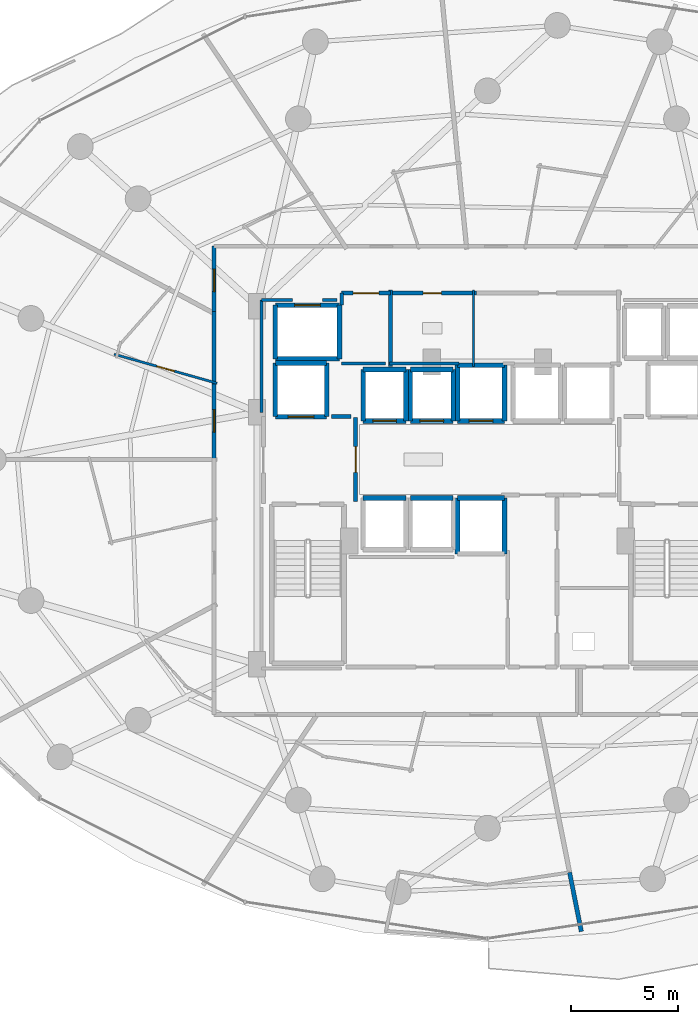
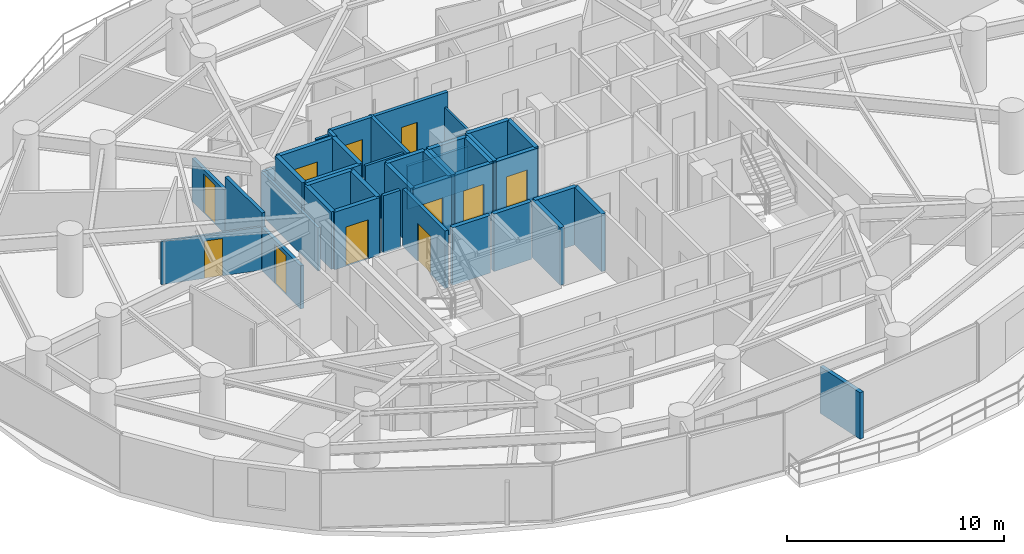
# One storey, part 27 of 34: 42 walls, 11 doors, 11 openings.
"""IFC4 building model written with IfcOpenShell, lengths in metres."""

from ifc_helpers import new_model, si_unit, direction, frame, frame_2d, origin, place, context, subcontext, project, spatial, rectangle, extrude, material, layer, layer_set, type_object, element, fill, save


model = new_model("IFC4")

# Units and contexts
model_context = context("Model", 3, precision=1e-05, world=origin(), true_north=direction((0.0, 1.0)))
body_context = subcontext(model_context, "Body", "Model", "MODEL_VIEW")
ifc_project = project(units=[si_unit("LENGTHUNIT", "METRE"), si_unit("AREAUNIT", "SQUARE_METRE"), si_unit("VOLUMEUNIT", "CUBIC_METRE"), si_unit("PLANEANGLEUNIT", "RADIAN"), si_unit("MASSUNIT", "GRAM", prefix="KILO")], contexts=[model_context])

# Site, building, storey
site_placement = place(None, origin())
site = spatial("IfcSite", under=ifc_project, at=site_placement, CompositionType="ELEMENT")
building_placement = place(site_placement, origin())
building = spatial("IfcBuilding", under=site, at=building_placement, Name="Vorneva Point Tower", CompositionType="ELEMENT")
storey_placement = place(building_placement, frame((0.0, 0.0, 62.5)))
storey = spatial("IfcBuildingStorey", under=building, at=storey_placement, Name="L16", CompositionType="ELEMENT", Elevation=62.5)

# Wall, opening, door
ifc_material_1 = material(Name="Concrete B60 (C50/60)", Category="concrete")
ifc_layer_1 = layer(ifc_material_1, 0.5)
ifc_layer_set_1 = layer_set([ifc_layer_1], Name="Concrete B60 (C50/60)")
wall_type_1 = type_object("IfcWallType", Name="WL-CORE-500", PredefinedType="SHEAR", material=ifc_layer_set_1)
wall_1_placement = place(storey_placement, frame((28.10009765625, 28.0, 0.0), z_axis=(0.0, 0.0, 1.0), x_axis=(1.0, 0.0, 0.0)))
wall_1 = element("IfcWall", 1, at=wall_1_placement, inside=storey, type_object=wall_type_1, Name="L16 Lift FFL1 Shaft Wall -Y", PredefinedType="SHEAR", context=body_context, shape_type="SweptSolid", body=[
    extrude(rectangle(XDim=2.39990234375, YDim=0.219970703125, at=frame_2d((1.199951171875, 0.0))), origin(), (0.0, 0.0, 1.0), 3.239990234375),
])
opening_1_placement = place(wall_1_placement, frame((0.60009765625, 0.0, 0.0)))
opening_1 = element("IfcOpeningElement", 2, at=opening_1_placement, cuts=wall_1, Name="Opening LD-02", PredefinedType="OPENING", context=body_context, shape_type="SweptSolid", body=[
    extrude(rectangle(XDim=1.199951171875, YDim=2.199951171875, at=frame_2d((0.60009765625, 1.10009765625))), frame((0.0, 0.125, 0.0), z_axis=(0.0, -1.0, 0.0), x_axis=(1.0, 0.0, 0.0)), (0.0, 0.0, 1.0), 0.249755859375),
])
ifc_material_2 = material(Name="Brushed stainless steel S304", Category="steel")
door_type_1 = type_object("IfcDoorType", Name="LD-FIRE-1200", OperationType="SLIDING_TO_LEFT", PredefinedType="DOOR", material=ifc_material_2)
door_1_placement = place(opening_1_placement, origin())
door_1 = element("IfcDoor", 3, at=door_1_placement, inside=storey, type_object=door_type_1, Name="L16 Lift FFL1 Sliding Landing Door", OperationType="SLIDING_TO_LEFT", OverallHeight=2.199951171875, OverallWidth=1.199951171875, PredefinedType="DOOR", context=body_context, shape_type="SweptSolid", body=[
    extrude(rectangle(XDim=1.199951171875, YDim=2.199951171875, at=frame_2d((0.60009765625, 1.10009765625))), frame((0.0, 0.02490234375, 0.0), z_axis=(0.0, -1.0, 0.0), x_axis=(1.0, 0.0, 0.0)), (0.0, 0.0, 1.0), 0.050048828125),
])
fill(opening_1, door_1)

# Walls
wall_2_placement = place(storey_placement, frame((30.5, 28.0, 0.0), z_axis=(0.0, 0.0, 1.0), x_axis=(0.0, 1.0, 0.0)))
element("IfcWall", 4, at=wall_2_placement, inside=storey, type_object=wall_type_1, Name="L16 Lift FFL1 Shaft Wall +X", PredefinedType="SHEAR", context=body_context, shape_type="SweptSolid", body=[
    extrude(rectangle(XDim=2.5, YDim=0.219970703125, at=frame_2d((1.25, 0.0))), origin(), (0.0, 0.0, 1.0), 3.239990234375),
])
wall_3_placement = place(storey_placement, frame((30.5, 30.5, 0.0), z_axis=(0.0, 0.0, 1.0), x_axis=(-1.0, 0.0, 0.0)))
element("IfcWall", 5, at=wall_3_placement, inside=storey, type_object=wall_type_1, Name="L16 Lift FFL1 Shaft Wall +Y", PredefinedType="SHEAR", context=body_context, shape_type="SweptSolid", body=[
    extrude(rectangle(XDim=2.39990234375, YDim=0.219970703125, at=frame_2d((1.199951171875, 0.0))), origin(), (0.0, 0.0, 1.0), 3.239990234375),
])
wall_4_placement = place(storey_placement, frame((28.10009765625, 30.5, 0.0), z_axis=(0.0, 0.0, 1.0), x_axis=(0.0, -1.0, 0.0)))
element("IfcWall", 6, at=wall_4_placement, inside=storey, type_object=wall_type_1, Name="L16 Lift FFL1 Shaft Wall -X", PredefinedType="SHEAR", context=body_context, shape_type="SweptSolid", body=[
    extrude(rectangle(XDim=2.5, YDim=0.219970703125, at=frame_2d((1.25, 0.0))), origin(), (0.0, 0.0, 1.0), 3.239990234375),
])
ifc_material_3 = material(Name="Fire-rated acoustic gypsum stud partition", Category="gypsum")
ifc_layer_2 = layer(ifc_material_3, 0.110107421875)
ifc_layer_set_2 = layer_set([ifc_layer_2], Name="Fire-rated acoustic gypsum stud partition")
wall_type_2 = type_object("IfcWallType", Name="WL-PART-110", PredefinedType="PARTITIONING", material=ifc_layer_set_2)
wall_5_placement = place(storey_placement, frame((37.35009765625, 30.340087890625, 0.0), z_axis=(0.0, 0.0, 1.0), x_axis=(0.0, 1.0, 0.0)))
element("IfcWall", 7, at=wall_5_placement, inside=storey, type_object=wall_type_2, Name="L16 Interior Partition 017", PredefinedType="PARTITIONING", context=body_context, shape_type="SweptSolid", body=[
    extrude(rectangle(XDim=3.559814453125, YDim=0.110107421875, at=frame_2d((1.77978515625, 0.0))), origin(), (0.0, 0.0, 1.0), 2.431884765625),
])

# Wall, opening, door
wall_6_placement = place(storey_placement, frame((25.384765625, 29.55810546875, 0.0), z_axis=(0.0, 0.0, 1.0), x_axis=(-0.962466408657, 0.271400833098, 0.0)))
wall_6 = element("IfcWall", 8, at=wall_6_placement, inside=storey, type_object=wall_type_2, Name="L16 Interior Partition 072", PredefinedType="PARTITIONING", context=body_context, shape_type="SweptSolid", body=[
    extrude(rectangle(XDim=4.984375, YDim=0.110107421875, at=frame_2d((2.4921875, 0.0))), origin(), (0.0, 0.0, 1.0), 2.431884765625),
])
opening_2_placement = place(wall_6_placement, frame((2.0673828125, 0.0, 0.0)))
opening_2 = element("IfcOpeningElement", 9, at=opening_2_placement, cuts=wall_6, Name="Opening ID-02", PredefinedType="OPENING", context=body_context, shape_type="SweptSolid", body=[
    extrude(rectangle(XDim=0.85009765625, YDim=2.10009765625, at=frame_2d((0.425048828125, 1.050048828125))), frame((0.0, 0.06982421875, 0.0), z_axis=(0.0, -1.0, 0.0), x_axis=(1.0, 0.0, 0.0)), (0.0, 0.0, 1.0), 0.139892578125),
])
ifc_material_4 = material(Name="Engineered oak fire-rated door leaf", Category="wood")
door_type_2 = type_object("IfcDoorType", Name="DR-BATH-850", OperationType="NOTDEFINED", PredefinedType="DOOR", material=ifc_material_4)
door_2_placement = place(opening_2_placement, origin())
door_2 = element("IfcDoor", 10, at=door_2_placement, inside=storey, type_object=door_type_2, Name="L16 Door Junior Suite L16-06 / En-Suite Bathroom L16-06", OperationType="SINGLE_SWING_LEFT", OverallHeight=2.10009765625, OverallWidth=0.85009765625, PredefinedType="DOOR", context=body_context, shape_type="SweptSolid", body=[
    extrude(rectangle(XDim=0.85009765625, YDim=2.10009765625, at=frame_2d((0.425048828125, 1.050048828125))), frame((0.0, 0.02490234375, 0.0), z_axis=(0.0, -1.0, 0.0), x_axis=(1.0, 0.0, 0.0)), (0.0, 0.0, 1.0), 0.050048828125),
])
fill(opening_2, door_2)

# Walls
ifc_layer_3 = layer(ifc_material_3, 0.139892578125)
ifc_layer_set_3 = layer_set([ifc_layer_3], Name="Fire-rated acoustic gypsum stud partition")
wall_type_3 = type_object("IfcWallType", Name="WL-PART-140", PredefinedType="PARTITIONING", material=ifc_layer_set_3)
wall_7_placement = place(storey_placement, frame((31.199951171875, 30.47998046875, 0.0), z_axis=(0.0, 0.0, 1.0), x_axis=(1.0, 0.0, 0.0)))
element("IfcWall", 11, at=wall_7_placement, inside=storey, type_object=wall_type_3, Name="L16 Interior Closure Partition 094", PredefinedType="PARTITIONING", context=body_context, shape_type="SweptSolid", body=[
    extrude(rectangle(XDim=2.050048828125, YDim=0.139892578125, at=frame_2d((1.02490234375, 0.0))), origin(), (0.0, 0.0, 1.0), 3.239990234375),
])
wall_8_placement = place(storey_placement, frame((33.43994140625, 30.47998046875, 0.0), z_axis=(0.0, 0.0, 1.0), x_axis=(1.0, 0.0, 0.0)))
element("IfcWall", 12, at=wall_8_placement, inside=storey, type_object=wall_type_3, Name="L16 Interior Closure Partition 095", PredefinedType="PARTITIONING", context=body_context, shape_type="SweptSolid", body=[
    extrude(rectangle(XDim=3.22509765625, YDim=0.139892578125, at=frame_2d((1.612548828125, 0.0))), origin(), (0.0, 0.0, 1.0), 2.431884765625),
])
wall_9_placement = place(storey_placement, frame((27.449951171875, 28.196044921875, 0.0), z_axis=(0.0, 0.0, 1.0), x_axis=(0.0, 1.0, 0.0)))
element("IfcWall", 13, at=wall_9_placement, inside=storey, type_object=wall_type_3, Name="L16 Interior Closure Partition 106", PredefinedType="PARTITIONING", context=body_context, shape_type="SweptSolid", body=[
    extrude(rectangle(XDim=5.25390625, YDim=0.139892578125, at=frame_2d((2.626953125, 0.0))), origin(), (0.0, 0.0, 1.0), 2.431884765625),
])
wall_10_placement = place(storey_placement, frame((27.449951171875, 33.449951171875, 0.0), z_axis=(0.0, 0.0, 1.0), x_axis=(1.0, 0.0, 0.0)))
element("IfcWall", 14, at=wall_10_placement, inside=storey, type_object=wall_type_3, Name="L16 Interior Closure Partition 107", PredefinedType="PARTITIONING", context=body_context, shape_type="SweptSolid", body=[
    extrude(rectangle(XDim=1.444091796875, YDim=0.139892578125, at=frame_2d((0.72216796875, 0.0))), origin(), (0.0, 0.0, 1.0), 2.431884765625),
])
wall_11_placement = place(storey_placement, frame((30.305908203125, 33.449951171875, 0.0), z_axis=(0.0, 0.0, 1.0), x_axis=(1.0, 0.0, 0.0)))
element("IfcWall", 15, at=wall_11_placement, inside=storey, type_object=wall_type_3, Name="L16 Interior Closure Partition 108", PredefinedType="PARTITIONING", context=body_context, shape_type="SweptSolid", body=[
    extrude(rectangle(XDim=0.674072265625, YDim=0.139892578125, at=frame_2d((0.3369140625, 0.0))), origin(), (0.0, 0.0, 1.0), 3.239990234375),
])

# Wall, opening, door
ifc_material_5 = material(Name="Autoclaved aerated concrete blockwork", Category="masonry")
ifc_layer_4 = layer(ifc_material_5, 0.179931640625)
ifc_layer_set_4 = layer_set([ifc_layer_4], Name="Autoclaved aerated concrete blockwork")
wall_type_4 = type_object("IfcWallType", Name="WL-PART-180", PredefinedType="PARTITIONING", material=ifc_layer_set_4)
wall_12_placement = place(storey_placement, frame((31.85009765625, 24.044921875, 0.0), z_axis=(0.0, 0.0, 1.0), x_axis=(0.0, 1.0, 0.0)))
wall_12 = element("IfcWall", 16, at=wall_12_placement, inside=storey, type_object=wall_type_4, Name="L16 Interior Partition 001", PredefinedType="PARTITIONING", context=body_context, shape_type="SweptSolid", body=[
    extrude(rectangle(XDim=3.91015625, YDim=0.179931640625, at=frame_2d((1.955078125, 0.0))), origin(), (0.0, 0.0, 1.0), 3.239990234375),
])
opening_3_placement = place(wall_12_placement, frame((1.35498046875, 0.0, 0.0)))
opening_3 = element("IfcOpeningElement", 17, at=opening_3_placement, cuts=wall_12, Name="Opening FD-02", PredefinedType="OPENING", context=body_context, shape_type="SweptSolid", body=[
    extrude(rectangle(XDim=1.199951171875, YDim=2.14990234375, at=frame_2d((0.60009765625, 1.074951171875))), frame((0.0, 0.10498046875, 0.0), z_axis=(0.0, -1.0, 0.0), x_axis=(1.0, 0.0, 0.0)), (0.0, 0.0, 1.0), 0.209716796875),
])
ifc_material_6 = material(Name="Fire-rated powder-coated steel", Category="steel")
door_type_3 = type_object("IfcDoorType", Name="DR-FFL-1200", OperationType="NOTDEFINED", PredefinedType="DOOR", material=ifc_material_6)
door_3_placement = place(opening_3_placement, origin())
door_3 = element("IfcDoor", 18, at=door_3_placement, inside=storey, type_object=door_type_3, Name="L16 Door West Firefighting Lobby / Central Lift Lobby", OperationType="SINGLE_SWING_RIGHT", OverallHeight=2.14990234375, OverallWidth=1.199951171875, PredefinedType="DOOR", context=body_context, shape_type="SweptSolid", body=[
    extrude(rectangle(XDim=1.199951171875, YDim=2.14990234375, at=frame_2d((0.60009765625, 1.074951171875))), frame((0.0, 0.02490234375, 0.0), z_axis=(0.0, -1.0, 0.0), x_axis=(1.0, 0.0, 0.0)), (0.0, 0.0, 1.0), 0.050048828125),
])
fill(opening_3, door_3)

# Wall
wall_13_placement = place(storey_placement, frame((33.469970703125, 30.340087890625, 0.0), z_axis=(0.0, 0.0, 1.0), x_axis=(0.0, 1.0, 0.0)))
element("IfcWall", 19, at=wall_13_placement, inside=storey, type_object=wall_type_4, Name="L16 Interior Partition 006", PredefinedType="PARTITIONING", context=body_context, shape_type="SweptSolid", body=[
    extrude(rectangle(XDim=3.559814453125, YDim=0.179931640625, at=frame_2d((1.77978515625, 0.0))), origin(), (0.0, 0.0, 1.0), 3.239990234375),
])

# Wall, opening, door
wall_14_placement = place(storey_placement, frame((33.469970703125, 33.760009765625, 0.0), z_axis=(0.0, 0.0, 1.0), x_axis=(-1.0, 0.0, 0.0)))
wall_14 = element("IfcWall", 20, at=wall_14_placement, inside=storey, type_object=wall_type_4, Name="L16 Interior Partition 007", PredefinedType="PARTITIONING", context=body_context, shape_type="SweptSolid", body=[
    extrude(rectangle(XDim=2.27001953125, YDim=0.179931640625, at=frame_2d((1.135009765625, 0.0))), origin(), (0.0, 0.0, 1.0), 3.239990234375),
])
opening_4_placement = place(wall_14_placement, frame((0.534912109375, 0.0, 0.0)))
opening_4 = element("IfcOpeningElement", 21, at=opening_4_placement, cuts=wall_14, Name="Opening FD-02", PredefinedType="OPENING", context=body_context, shape_type="SweptSolid", body=[
    extrude(rectangle(XDim=1.199951171875, YDim=2.14990234375, at=frame_2d((0.60009765625, 1.074951171875))), frame((0.0, 0.10498046875, 0.0), z_axis=(0.0, -1.0, 0.0), x_axis=(1.0, 0.0, 0.0)), (0.0, 0.0, 1.0), 0.209716796875),
])
door_4_placement = place(opening_4_placement, origin())
door_4 = element("IfcDoor", 22, at=door_4_placement, inside=storey, type_object=door_type_3, Name="L16 Door Service Lift Lobby / L16 Circulation Corridor", OperationType="SINGLE_SWING_RIGHT", OverallHeight=2.14990234375, OverallWidth=1.199951171875, PredefinedType="DOOR", context=body_context, shape_type="SweptSolid", body=[
    extrude(rectangle(XDim=1.199951171875, YDim=2.14990234375, at=frame_2d((0.60009765625, 1.074951171875))), frame((0.0, 0.02490234375, 0.0), z_axis=(0.0, -1.0, 0.0), x_axis=(1.0, 0.0, 0.0)), (0.0, 0.0, 1.0), 0.050048828125),
])
fill(opening_4, door_4)

# Wall
wall_15_placement = place(storey_placement, frame((31.199951171875, 33.760009765625, 0.0), z_axis=(0.0, 0.0, 1.0), x_axis=(0.0, -1.0, 0.0)))
element("IfcWall", 23, at=wall_15_placement, inside=storey, type_object=wall_type_4, Name="L16 Interior Partition 008", PredefinedType="PARTITIONING", context=body_context, shape_type="SweptSolid", body=[
    extrude(rectangle(XDim=0.56005859375, YDim=0.179931640625, at=frame_2d((0.280029296875, 0.0))), origin(), (0.0, 0.0, 1.0), 3.239990234375),
])

# Wall, opening, door
wall_16_placement = place(storey_placement, frame((37.489990234375, 33.760009765625, 0.0), z_axis=(0.0, 0.0, 1.0), x_axis=(-1.0, 0.0, 0.0)))
wall_16 = element("IfcWall", 24, at=wall_16_placement, inside=storey, type_object=wall_type_4, Name="L16 Interior Partition 018", PredefinedType="PARTITIONING", context=body_context, shape_type="SweptSolid", body=[
    extrude(rectangle(XDim=4.1298828125, YDim=0.179931640625, at=frame_2d((2.06494140625, 0.0))), origin(), (0.0, 0.0, 1.0), 3.239990234375),
])
opening_5_placement = place(wall_16_placement, frame((1.639892578125, 0.0, 0.0)))
opening_5 = element("IfcOpeningElement", 25, at=opening_5_placement, cuts=wall_16, Name="Opening ID-02", PredefinedType="OPENING", context=body_context, shape_type="SweptSolid", body=[
    extrude(rectangle(XDim=0.85009765625, YDim=2.10009765625, at=frame_2d((0.425048828125, 1.050048828125))), frame((0.0, 0.10498046875, 0.0), z_axis=(0.0, -1.0, 0.0), x_axis=(1.0, 0.0, 0.0)), (0.0, 0.0, 1.0), 0.209716796875),
])
door_5_placement = place(opening_5_placement, origin())
door_5 = element("IfcDoor", 26, at=door_5_placement, inside=storey, type_object=door_type_2, Name="L16 Door Accessible WC / L16 Circulation Corridor", OperationType="SINGLE_SWING_RIGHT", OverallHeight=2.10009765625, OverallWidth=0.85009765625, PredefinedType="DOOR", context=body_context, shape_type="SweptSolid", body=[
    extrude(rectangle(XDim=0.85009765625, YDim=2.10009765625, at=frame_2d((0.425048828125, 1.050048828125))), frame((0.0, 0.02490234375, 0.0), z_axis=(0.0, -1.0, 0.0), x_axis=(1.0, 0.0, 0.0)), (0.0, 0.0, 1.0), 0.050048828125),
])
fill(opening_5, door_5)

wall_17_placement = place(storey_placement, frame((25.25, 35.949951171875, 0.0), z_axis=(0.0, 0.0, 1.0), x_axis=(0.0, -1.0, 0.0)))
wall_17 = element("IfcWall", 27, at=wall_17_placement, inside=storey, type_object=wall_type_4, Name="L16 Interior Partition 032", PredefinedType="PARTITIONING", context=body_context, shape_type="SweptSolid", body=[
    extrude(rectangle(XDim=3.195068359375, YDim=0.179931640625, at=frame_2d((1.59765625, 0.0))), origin(), (0.0, 0.0, 1.0), 2.431884765625),
])
opening_6_placement = place(wall_17_placement, frame((1.072509765625, 0.0, 0.0)))
opening_6 = element("IfcOpeningElement", 28, at=opening_6_placement, cuts=wall_17, Name="Opening UD-02", PredefinedType="OPENING", context=body_context, shape_type="SweptSolid", body=[
    extrude(rectangle(XDim=1.050048828125, YDim=2.199951171875, at=frame_2d((0.52490234375, 1.10009765625))), frame((0.0, 0.10498046875, 0.0), z_axis=(0.0, -1.0, 0.0), x_axis=(1.0, 0.0, 0.0)), (0.0, 0.0, 1.0), 0.209716796875),
])
door_type_4 = type_object("IfcDoorType", Name="DR-SUITE-1050", OperationType="NOTDEFINED", PredefinedType="DOOR", material=ifc_material_4)
door_6_placement = place(opening_6_placement, origin())
door_6 = element("IfcDoor", 29, at=door_6_placement, inside=storey, type_object=door_type_4, Name="L16 Door L16 Circulation Corridor / Corner Suite L16-05", OperationType="SINGLE_SWING_LEFT", OverallHeight=2.199951171875, OverallWidth=1.050048828125, PredefinedType="DOOR", context=body_context, shape_type="SweptSolid", body=[
    extrude(rectangle(XDim=1.050048828125, YDim=2.199951171875, at=frame_2d((0.52490234375, 1.10009765625))), frame((0.0, 0.02490234375, 0.0), z_axis=(0.0, -1.0, 0.0), x_axis=(1.0, 0.0, 0.0)), (0.0, 0.0, 1.0), 0.050048828125),
])
fill(opening_6, door_6)

wall_18_placement = place(storey_placement, frame((25.25, 29.657958984375, 0.0), z_axis=(0.0, 0.0, 1.0), x_axis=(0.0, -1.0, 0.0)))
wall_18 = element("IfcWall", 30, at=wall_18_placement, inside=storey, type_object=wall_type_4, Name="L16 Interior Partition 034", PredefinedType="PARTITIONING", context=body_context, shape_type="SweptSolid", body=[
    extrude(rectangle(XDim=3.718017578125, YDim=0.179931640625, at=frame_2d((1.85888671875, 0.0))), origin(), (0.0, 0.0, 1.0), 2.431884765625),
])
opening_7_placement = place(wall_18_placement, frame((1.333984375, 0.0, 0.0)))
opening_7 = element("IfcOpeningElement", 31, at=opening_7_placement, cuts=wall_18, Name="Opening UD-02", PredefinedType="OPENING", context=body_context, shape_type="SweptSolid", body=[
    extrude(rectangle(XDim=1.050048828125, YDim=2.199951171875, at=frame_2d((0.52490234375, 1.10009765625))), frame((0.0, 0.10498046875, 0.0), z_axis=(0.0, -1.0, 0.0), x_axis=(1.0, 0.0, 0.0)), (0.0, 0.0, 1.0), 0.209716796875),
])
door_7_placement = place(opening_7_placement, origin())
door_7 = element("IfcDoor", 32, at=door_7_placement, inside=storey, type_object=door_type_4, Name="L16 Door L16 Circulation Corridor / Junior Suite L16-06", OperationType="SINGLE_SWING_RIGHT", OverallHeight=2.199951171875, OverallWidth=1.050048828125, PredefinedType="DOOR", context=body_context, shape_type="SweptSolid", body=[
    extrude(rectangle(XDim=1.050048828125, YDim=2.199951171875, at=frame_2d((0.52490234375, 1.10009765625))), frame((0.0, 0.02490234375, 0.0), z_axis=(0.0, -1.0, 0.0), x_axis=(1.0, 0.0, 0.0)), (0.0, 0.0, 1.0), 0.050048828125),
])
fill(opening_7, door_7)

# Walls
wall_19_placement = place(storey_placement, frame((25.25, 32.89501953125, 0.0), z_axis=(0.0, 0.0, 1.0), x_axis=(0.0, -1.0, 0.0)))
element("IfcWall", 33, at=wall_19_placement, inside=storey, type_object=wall_type_4, Name="L16 Interior Partition 035", PredefinedType="PARTITIONING", context=body_context, shape_type="SweptSolid", body=[
    extrude(rectangle(XDim=3.376953125, YDim=0.179931640625, at=frame_2d((1.6884765625, 0.0))), origin(), (0.0, 0.0, 1.0), 3.239990234375),
])
wall_20_placement = place(storey_placement, frame((31.635009765625, 28.0, 0.0), z_axis=(0.0, 0.0, 1.0), x_axis=(-1.0, 0.0, 0.0)))
element("IfcWall", 34, at=wall_20_placement, inside=storey, type_object=wall_type_4, Name="L16 Interior Closure Partition 092", PredefinedType="PARTITIONING", context=body_context, shape_type="SweptSolid", body=[
    extrude(rectangle(XDim=0.9150390625, YDim=0.179931640625, at=frame_2d((0.45751953125, 0.0))), origin(), (0.0, 0.0, 1.0), 3.239990234375),
])
ifc_layer_5 = layer(ifc_material_5, 0.199951171875)
ifc_layer_set_5 = layer_set([ifc_layer_5], Name="Autoclaved aerated concrete blockwork")
wall_type_5 = type_object("IfcWallType", Name="WL-PART-200", PredefinedType="PARTITIONING", material=ifc_layer_set_5)
wall_21_placement = place(storey_placement, frame((42.381103515625, 3.97705078125, 0.0), z_axis=(0.0, 0.0, 1.0), x_axis=(-0.195063341769, 0.980790646722, 0.0)))
element("IfcWall", 35, at=wall_21_placement, inside=storey, type_object=wall_type_5, Name="L16 Interior Partition 090", PredefinedType="PARTITIONING", context=body_context, shape_type="SweptSolid", body=[
    extrude(rectangle(XDim=2.809814453125, YDim=0.199951171875, at=frame_2d((1.40478515625, 0.0))), origin(), (0.0, 0.0, 1.0), 2.6240234375),
])

# Wall, opening, door
ifc_material_7 = material(Name="Concrete B50 (C40/50)", Category="concrete")
ifc_layer_6 = layer(ifc_material_7, 0.219970703125)
ifc_layer_set_6 = layer_set([ifc_layer_6], Name="Concrete B50 (C40/50)")
wall_type_6 = type_object("IfcWallType", Name="WL-SHFT-220", PredefinedType="SOLIDWALL", material=ifc_layer_set_6)
wall_22_placement = place(storey_placement, frame((32.199951171875, 27.800048828125, 0.0), z_axis=(0.0, 0.0, 1.0), x_axis=(1.0, 0.0, 0.0)))
wall_22 = element("IfcWall", 36, at=wall_22_placement, inside=storey, type_object=wall_type_6, Name="L16 Lift PL1 Shaft Wall -Y", PredefinedType="SOLIDWALL", context=body_context, shape_type="SweptSolid", body=[
    extrude(rectangle(XDim=2.0, YDim=0.219970703125, at=frame_2d((1.0, 0.0))), origin(), (0.0, 0.0, 1.0), 3.239990234375),
])
opening_8_placement = place(wall_22_placement, frame((0.449951171875, 0.0, 0.0)))
opening_8 = element("IfcOpeningElement", 37, at=opening_8_placement, cuts=wall_22, Name="Opening LD-01", PredefinedType="OPENING", context=body_context, shape_type="SweptSolid", body=[
    extrude(rectangle(XDim=1.10009765625, YDim=2.199951171875, at=frame_2d((0.550048828125, 1.10009765625))), frame((0.0, 0.125, 0.0), z_axis=(0.0, -1.0, 0.0), x_axis=(1.0, 0.0, 0.0)), (0.0, 0.0, 1.0), 0.249755859375),
])
door_type_5 = type_object("IfcDoorType", Name="LD-PASS-1100", OperationType="SLIDING_TO_LEFT", PredefinedType="DOOR", material=ifc_material_2)
door_8_placement = place(opening_8_placement, origin())
door_8 = element("IfcDoor", 38, at=door_8_placement, inside=storey, type_object=door_type_5, Name="L16 Lift PL1 Sliding Landing Door", OperationType="SLIDING_TO_LEFT", OverallHeight=2.199951171875, OverallWidth=1.10009765625, PredefinedType="DOOR", context=body_context, shape_type="SweptSolid", body=[
    extrude(rectangle(XDim=1.10009765625, YDim=2.199951171875, at=frame_2d((0.550048828125, 1.10009765625))), frame((0.0, 0.02490234375, 0.0), z_axis=(0.0, -1.0, 0.0), x_axis=(1.0, 0.0, 0.0)), (0.0, 0.0, 1.0), 0.050048828125),
])
fill(opening_8, door_8)

# Walls
wall_23_placement = place(storey_placement, frame((34.199951171875, 27.800048828125, 0.0), z_axis=(0.0, 0.0, 1.0), x_axis=(0.0, 1.0, 0.0)))
element("IfcWall", 39, at=wall_23_placement, inside=storey, type_object=wall_type_6, Name="L16 Lift PL1 Shaft Wall +X", PredefinedType="SOLIDWALL", context=body_context, shape_type="SweptSolid", body=[
    extrude(rectangle(XDim=2.39990234375, YDim=0.219970703125, at=frame_2d((1.199951171875, 0.0))), origin(), (0.0, 0.0, 1.0), 3.239990234375),
])
wall_24_placement = place(storey_placement, frame((34.199951171875, 30.199951171875, 0.0), z_axis=(0.0, 0.0, 1.0), x_axis=(-1.0, 0.0, 0.0)))
element("IfcWall", 40, at=wall_24_placement, inside=storey, type_object=wall_type_6, Name="L16 Lift PL1 Shaft Wall +Y", PredefinedType="SOLIDWALL", context=body_context, shape_type="SweptSolid", body=[
    extrude(rectangle(XDim=2.0, YDim=0.219970703125, at=frame_2d((1.0, 0.0))), origin(), (0.0, 0.0, 1.0), 3.239990234375),
])
wall_25_placement = place(storey_placement, frame((32.199951171875, 30.199951171875, 0.0), z_axis=(0.0, 0.0, 1.0), x_axis=(0.0, -1.0, 0.0)))
element("IfcWall", 41, at=wall_25_placement, inside=storey, type_object=wall_type_6, Name="L16 Lift PL1 Shaft Wall -X", PredefinedType="SOLIDWALL", context=body_context, shape_type="SweptSolid", body=[
    extrude(rectangle(XDim=2.39990234375, YDim=0.219970703125, at=frame_2d((1.199951171875, 0.0))), origin(), (0.0, 0.0, 1.0), 3.239990234375),
])

# Wall, opening, door
wall_26_placement = place(storey_placement, frame((34.39990234375, 27.800048828125, 0.0), z_axis=(0.0, 0.0, 1.0), x_axis=(1.0, 0.0, 0.0)))
wall_26 = element("IfcWall", 42, at=wall_26_placement, inside=storey, type_object=wall_type_6, Name="L16 Lift PL2 Shaft Wall -Y", PredefinedType="SOLIDWALL", context=body_context, shape_type="SweptSolid", body=[
    extrude(rectangle(XDim=2.0, YDim=0.219970703125, at=frame_2d((1.0, 0.0))), origin(), (0.0, 0.0, 1.0), 3.239990234375),
])
opening_9_placement = place(wall_26_placement, frame((0.449951171875, 0.0, 0.0)))
opening_9 = element("IfcOpeningElement", 43, at=opening_9_placement, cuts=wall_26, Name="Opening LD-01", PredefinedType="OPENING", context=body_context, shape_type="SweptSolid", body=[
    extrude(rectangle(XDim=1.10009765625, YDim=2.199951171875, at=frame_2d((0.550048828125, 1.10009765625))), frame((0.0, 0.125, 0.0), z_axis=(0.0, -1.0, 0.0), x_axis=(1.0, 0.0, 0.0)), (0.0, 0.0, 1.0), 0.249755859375),
])
door_9_placement = place(opening_9_placement, origin())
door_9 = element("IfcDoor", 44, at=door_9_placement, inside=storey, type_object=door_type_5, Name="L16 Lift PL2 Sliding Landing Door", OperationType="SLIDING_TO_LEFT", OverallHeight=2.199951171875, OverallWidth=1.10009765625, PredefinedType="DOOR", context=body_context, shape_type="SweptSolid", body=[
    extrude(rectangle(XDim=1.10009765625, YDim=2.199951171875, at=frame_2d((0.550048828125, 1.10009765625))), frame((0.0, 0.02490234375, 0.0), z_axis=(0.0, -1.0, 0.0), x_axis=(1.0, 0.0, 0.0)), (0.0, 0.0, 1.0), 0.050048828125),
])
fill(opening_9, door_9)

# Walls
wall_27_placement = place(storey_placement, frame((36.39990234375, 27.800048828125, 0.0), z_axis=(0.0, 0.0, 1.0), x_axis=(0.0, 1.0, 0.0)))
element("IfcWall", 45, at=wall_27_placement, inside=storey, type_object=wall_type_6, Name="L16 Lift PL2 Shaft Wall +X", PredefinedType="SOLIDWALL", context=body_context, shape_type="SweptSolid", body=[
    extrude(rectangle(XDim=2.39990234375, YDim=0.219970703125, at=frame_2d((1.199951171875, 0.0))), origin(), (0.0, 0.0, 1.0), 3.239990234375),
])
wall_28_placement = place(storey_placement, frame((36.39990234375, 30.199951171875, 0.0), z_axis=(0.0, 0.0, 1.0), x_axis=(-1.0, 0.0, 0.0)))
element("IfcWall", 46, at=wall_28_placement, inside=storey, type_object=wall_type_6, Name="L16 Lift PL2 Shaft Wall +Y", PredefinedType="SOLIDWALL", context=body_context, shape_type="SweptSolid", body=[
    extrude(rectangle(XDim=2.0, YDim=0.219970703125, at=frame_2d((1.0, 0.0))), origin(), (0.0, 0.0, 1.0), 3.239990234375),
])
wall_29_placement = place(storey_placement, frame((34.39990234375, 30.199951171875, 0.0), z_axis=(0.0, 0.0, 1.0), x_axis=(0.0, -1.0, 0.0)))
element("IfcWall", 47, at=wall_29_placement, inside=storey, type_object=wall_type_6, Name="L16 Lift PL2 Shaft Wall -X", PredefinedType="SOLIDWALL", context=body_context, shape_type="SweptSolid", body=[
    extrude(rectangle(XDim=2.39990234375, YDim=0.219970703125, at=frame_2d((1.199951171875, 0.0))), origin(), (0.0, 0.0, 1.0), 3.239990234375),
])

# Wall, opening, door
wall_30_placement = place(storey_placement, frame((36.60009765625, 27.800048828125, 0.0), z_axis=(0.0, 0.0, 1.0), x_axis=(1.0, 0.0, 0.0)))
wall_30 = element("IfcWall", 48, at=wall_30_placement, inside=storey, type_object=wall_type_6, Name="L16 Lift PL3 Shaft Wall -Y", PredefinedType="SOLIDWALL", context=body_context, shape_type="SweptSolid", body=[
    extrude(rectangle(XDim=2.199951171875, YDim=0.219970703125, at=frame_2d((1.10009765625, 0.0))), origin(), (0.0, 0.0, 1.0), 3.239990234375),
])
opening_10_placement = place(wall_30_placement, frame((0.550048828125, 0.0, 0.0)))
opening_10 = element("IfcOpeningElement", 49, at=opening_10_placement, cuts=wall_30, Name="Opening LD-01", PredefinedType="OPENING", context=body_context, shape_type="SweptSolid", body=[
    extrude(rectangle(XDim=1.10009765625, YDim=2.199951171875, at=frame_2d((0.550048828125, 1.10009765625))), frame((0.0, 0.125, 0.0), z_axis=(0.0, -1.0, 0.0), x_axis=(1.0, 0.0, 0.0)), (0.0, 0.0, 1.0), 0.249755859375),
])
door_10_placement = place(opening_10_placement, origin())
door_10 = element("IfcDoor", 50, at=door_10_placement, inside=storey, type_object=door_type_5, Name="L16 Lift PL3 Sliding Landing Door", OperationType="SLIDING_TO_LEFT", OverallHeight=2.199951171875, OverallWidth=1.10009765625, PredefinedType="DOOR", context=body_context, shape_type="SweptSolid", body=[
    extrude(rectangle(XDim=1.10009765625, YDim=2.199951171875, at=frame_2d((0.550048828125, 1.10009765625))), frame((0.0, 0.02490234375, 0.0), z_axis=(0.0, -1.0, 0.0), x_axis=(1.0, 0.0, 0.0)), (0.0, 0.0, 1.0), 0.050048828125),
])
fill(opening_10, door_10)

# Walls
wall_31_placement = place(storey_placement, frame((38.800048828125, 27.800048828125, 0.0), z_axis=(0.0, 0.0, 1.0), x_axis=(0.0, 1.0, 0.0)))
element("IfcWall", 51, at=wall_31_placement, inside=storey, type_object=wall_type_6, Name="L16 Lift PL3 Shaft Wall +X", PredefinedType="SOLIDWALL", context=body_context, shape_type="SweptSolid", body=[
    extrude(rectangle(XDim=2.599853515625, YDim=0.219970703125, at=frame_2d((1.2998046875, 0.0))), origin(), (0.0, 0.0, 1.0), 3.239990234375),
])
wall_32_placement = place(storey_placement, frame((38.800048828125, 30.39990234375, 0.0), z_axis=(0.0, 0.0, 1.0), x_axis=(-1.0, 0.0, 0.0)))
element("IfcWall", 52, at=wall_32_placement, inside=storey, type_object=wall_type_6, Name="L16 Lift PL3 Shaft Wall +Y", PredefinedType="SOLIDWALL", context=body_context, shape_type="SweptSolid", body=[
    extrude(rectangle(XDim=2.199951171875, YDim=0.219970703125, at=frame_2d((1.10009765625, 0.0))), origin(), (0.0, 0.0, 1.0), 3.239990234375),
])
wall_33_placement = place(storey_placement, frame((36.60009765625, 30.39990234375, 0.0), z_axis=(0.0, 0.0, 1.0), x_axis=(0.0, -1.0, 0.0)))
element("IfcWall", 53, at=wall_33_placement, inside=storey, type_object=wall_type_6, Name="L16 Lift PL3 Shaft Wall -X", PredefinedType="SOLIDWALL", context=body_context, shape_type="SweptSolid", body=[
    extrude(rectangle(XDim=2.599853515625, YDim=0.219970703125, at=frame_2d((1.2998046875, 0.0))), origin(), (0.0, 0.0, 1.0), 3.239990234375),
])
for number, where, z_axis, x_axis, name in (
    (54, (34.199951171875, 24.199951171875, 0.0), (0.0, 0.0, 1.0), (-1.0, 0.0, 0.0), "L16 Lift PL4 Shaft Wall +Y"),
    (55, (36.39990234375, 24.199951171875, 0.0), (0.0, 0.0, 1.0), (-1.0, 0.0, 0.0), "L16 Lift PL5 Shaft Wall +Y"),
):
    element("IfcWall", number, at=place(storey_placement, frame(where, z_axis=z_axis, x_axis=x_axis)), inside=storey, type_object=wall_type_6, Name=name, PredefinedType="SOLIDWALL", context=body_context, shape_type="SweptSolid", body=[
        extrude(rectangle(XDim=2.0, YDim=0.219970703125, at=frame_2d((1.0, 0.0))), origin(), (0.0, 0.0, 1.0), 3.239990234375),
    ])
wall_34_placement = place(storey_placement, frame((38.800048828125, 21.60009765625, 0.0), z_axis=(0.0, 0.0, 1.0), x_axis=(0.0, 1.0, 0.0)))
element("IfcWall", 56, at=wall_34_placement, inside=storey, type_object=wall_type_6, Name="L16 Lift PL6 Shaft Wall +X", PredefinedType="SOLIDWALL", context=body_context, shape_type="SweptSolid", body=[
    extrude(rectangle(XDim=2.599853515625, YDim=0.219970703125, at=frame_2d((1.2998046875, 0.0))), origin(), (0.0, 0.0, 1.0), 3.239990234375),
])
wall_35_placement = place(storey_placement, frame((38.800048828125, 24.199951171875, 0.0), z_axis=(0.0, 0.0, 1.0), x_axis=(-1.0, 0.0, 0.0)))
element("IfcWall", 57, at=wall_35_placement, inside=storey, type_object=wall_type_6, Name="L16 Lift PL6 Shaft Wall +Y", PredefinedType="SOLIDWALL", context=body_context, shape_type="SweptSolid", body=[
    extrude(rectangle(XDim=2.199951171875, YDim=0.219970703125, at=frame_2d((1.10009765625, 0.0))), origin(), (0.0, 0.0, 1.0), 3.239990234375),
])
wall_36_placement = place(storey_placement, frame((36.60009765625, 24.199951171875, 0.0), z_axis=(0.0, 0.0, 1.0), x_axis=(0.0, -1.0, 0.0)))
element("IfcWall", 58, at=wall_36_placement, inside=storey, type_object=wall_type_6, Name="L16 Lift PL6 Shaft Wall -X", PredefinedType="SOLIDWALL", context=body_context, shape_type="SweptSolid", body=[
    extrude(rectangle(XDim=2.599853515625, YDim=0.219970703125, at=frame_2d((1.2998046875, 0.0))), origin(), (0.0, 0.0, 1.0), 3.239990234375),
])
wall_37_placement = place(storey_placement, frame((28.10009765625, 30.699951171875, 0.0), z_axis=(0.0, 0.0, 1.0), x_axis=(1.0, 0.0, 0.0)))
element("IfcWall", 59, at=wall_37_placement, inside=storey, type_object=wall_type_6, Name="L16 Lift SVL1 Shaft Wall -Y", PredefinedType="SOLIDWALL", context=body_context, shape_type="SweptSolid", body=[
    extrude(rectangle(XDim=3.0, YDim=0.219970703125, at=frame_2d((1.5, 0.0))), origin(), (0.0, 0.0, 1.0), 3.239990234375),
])
wall_38_placement = place(storey_placement, frame((31.10009765625, 30.699951171875, 0.0), z_axis=(0.0, 0.0, 1.0), x_axis=(0.0, 1.0, 0.0)))
element("IfcWall", 60, at=wall_38_placement, inside=storey, type_object=wall_type_6, Name="L16 Lift SVL1 Shaft Wall +X", PredefinedType="SOLIDWALL", context=body_context, shape_type="SweptSolid", body=[
    extrude(rectangle(XDim=2.5, YDim=0.219970703125, at=frame_2d((1.25, 0.0))), origin(), (0.0, 0.0, 1.0), 3.239990234375),
])

# Wall, opening, door
wall_39_placement = place(storey_placement, frame((31.10009765625, 33.199951171875, 0.0), z_axis=(0.0, 0.0, 1.0), x_axis=(-1.0, 0.0, 0.0)))
wall_39 = element("IfcWall", 61, at=wall_39_placement, inside=storey, type_object=wall_type_6, Name="L16 Lift SVL1 Shaft Wall +Y", PredefinedType="SOLIDWALL", context=body_context, shape_type="SweptSolid", body=[
    extrude(rectangle(XDim=3.0, YDim=0.219970703125, at=frame_2d((1.5, 0.0))), origin(), (0.0, 0.0, 1.0), 3.239990234375),
])
opening_11_placement = place(wall_39_placement, frame((0.89990234375, 0.0, 0.0)))
opening_11 = element("IfcOpeningElement", 62, at=opening_11_placement, cuts=wall_39, Name="Opening LD-02", PredefinedType="OPENING", context=body_context, shape_type="SweptSolid", body=[
    extrude(rectangle(XDim=1.199951171875, YDim=2.199951171875, at=frame_2d((0.60009765625, 1.10009765625))), frame((0.0, 0.125, 0.0), z_axis=(0.0, -1.0, 0.0), x_axis=(1.0, 0.0, 0.0)), (0.0, 0.0, 1.0), 0.249755859375),
])
door_11_placement = place(opening_11_placement, origin())
door_11 = element("IfcDoor", 63, at=door_11_placement, inside=storey, type_object=door_type_1, Name="L16 Lift SVL1 Sliding Landing Door", OperationType="SLIDING_TO_LEFT", OverallHeight=2.199951171875, OverallWidth=1.199951171875, PredefinedType="DOOR", context=body_context, shape_type="SweptSolid", body=[
    extrude(rectangle(XDim=1.199951171875, YDim=2.199951171875, at=frame_2d((0.60009765625, 1.10009765625))), frame((0.0, 0.02490234375, 0.0), z_axis=(0.0, -1.0, 0.0), x_axis=(1.0, 0.0, 0.0)), (0.0, 0.0, 1.0), 0.050048828125),
])
fill(opening_11, door_11)

# Wall
wall_40_placement = place(storey_placement, frame((28.10009765625, 33.199951171875, 0.0), z_axis=(0.0, 0.0, 1.0), x_axis=(0.0, -1.0, 0.0)))
element("IfcWall", 64, at=wall_40_placement, inside=storey, type_object=wall_type_6, Name="L16 Lift SVL1 Shaft Wall -X", PredefinedType="SOLIDWALL", context=body_context, shape_type="SweptSolid", body=[
    extrude(rectangle(XDim=2.5, YDim=0.219970703125, at=frame_2d((1.25, 0.0))), origin(), (0.0, 0.0, 1.0), 3.239990234375),
])

save(model, "model.ifc")
